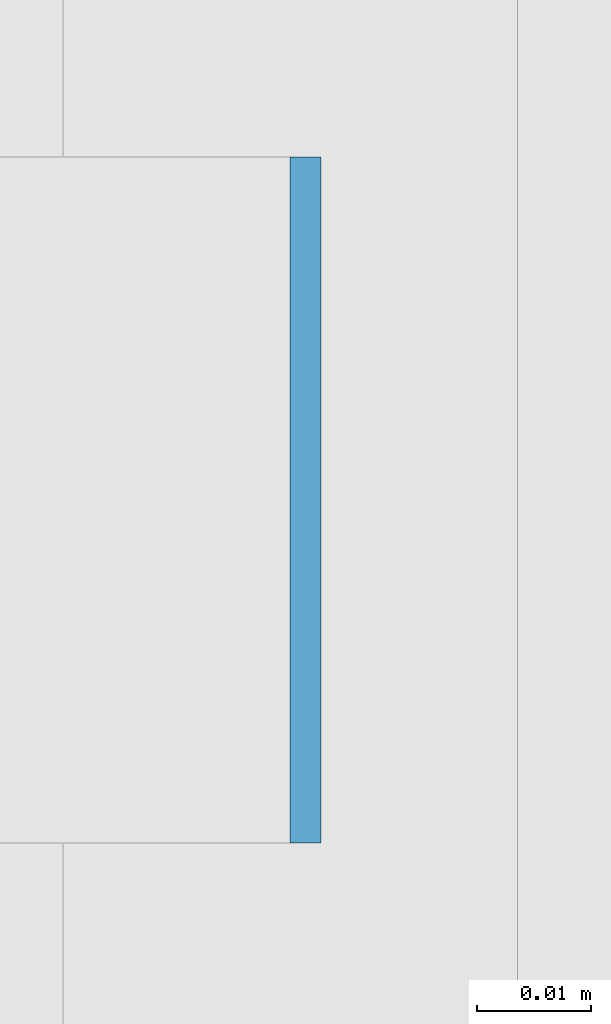
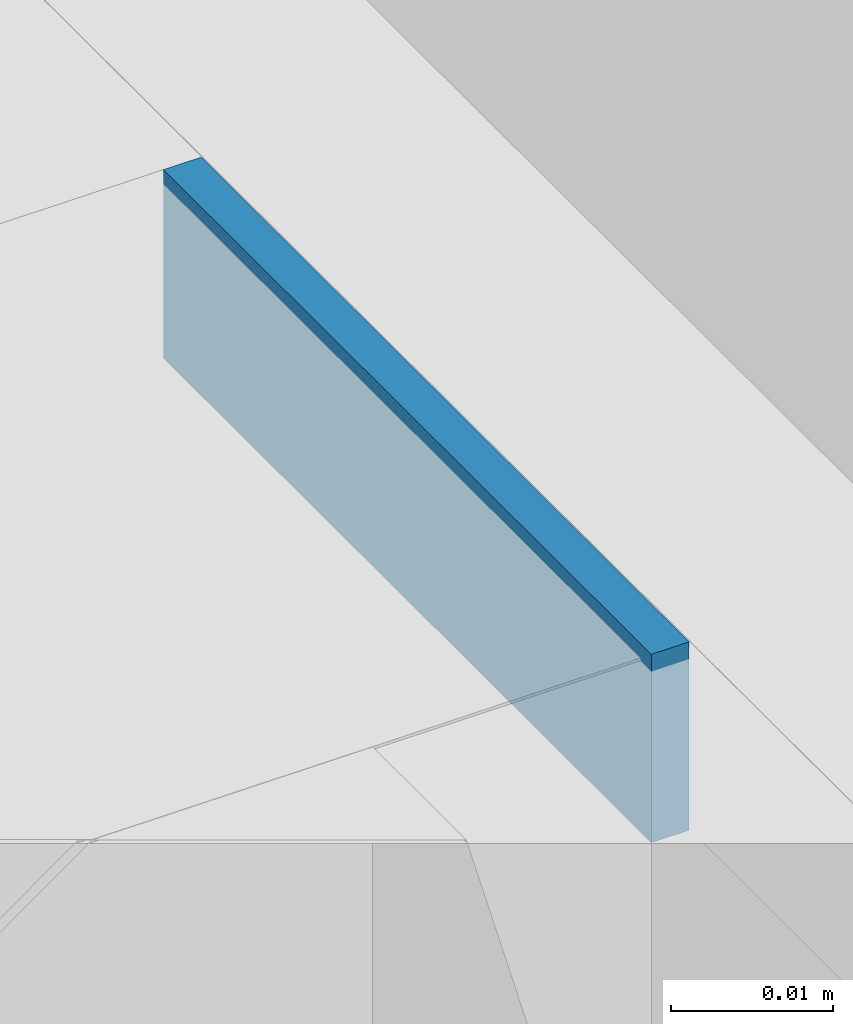
# One storey, part 263 of 646: 1 discrete accessory.
"""IFC4 building model written with IfcOpenShell, lengths in metres."""

from ifc_helpers import new_model, si_unit, direction, frame, origin, origin_2d, place, context, subcontext, project, spatial, rectangle, extrude, material, type_object, element, save


model = new_model("IFC4")

# Units and contexts
model_context = context("Model", 3, precision=1e-05, world=origin(), true_north=direction((0.0, 1.0)))
body_context = subcontext(model_context, "Body", "Model", "MODEL_VIEW")
ifc_project = project(units=[si_unit("LENGTHUNIT", "METRE"), si_unit("AREAUNIT", "SQUARE_METRE"), si_unit("VOLUMEUNIT", "CUBIC_METRE"), si_unit("PLANEANGLEUNIT", "RADIAN"), si_unit("MASSUNIT", "GRAM", prefix="KILO")], contexts=[model_context])

# Site, building, storey
site_placement = place(None, origin())
site = spatial("IfcSite", under=ifc_project, at=site_placement, CompositionType="ELEMENT")
building_placement = place(site_placement, origin())
building = spatial("IfcBuilding", under=site, at=building_placement, Name="Silverbay Arena", CompositionType="ELEMENT")
storey_placement = place(building_placement, frame((0.0, 0.0, 33.5)))
storey = spatial("IfcBuildingStorey", under=building, at=storey_placement, Name="L05", CompositionType="ELEMENT", Elevation=33.5)

# Discrete accessory
ifc_material = material(Name="Steel S355", Category="steel")
discrete_accessory_type = type_object("IfcDiscreteAccessoryType", Name="Steel bracket plate", PredefinedType="BRACKET", material=ifc_material)
discrete_accessory_placement = place(storey_placement, frame((53.871337890625, 42.428466796875, 12.98583984375), z_axis=(0.0, 0.0, 1.0), x_axis=(1.0, 0.0, 0.0)))
element("IfcDiscreteAccessory", 1, at=discrete_accessory_placement, inside=storey, type_object=discrete_accessory_type, Name="Curtain wall packing plate", PredefinedType="BRACKET", context=body_context, shape_type="SweptSolid", body=[
    extrude(rectangle(XDim=0.002685546875, YDim=0.06005859375, at=origin_2d()), origin(), (0.0, 0.0, 1.0), 0.01416015625),
])

save(model, "model.ifc")
